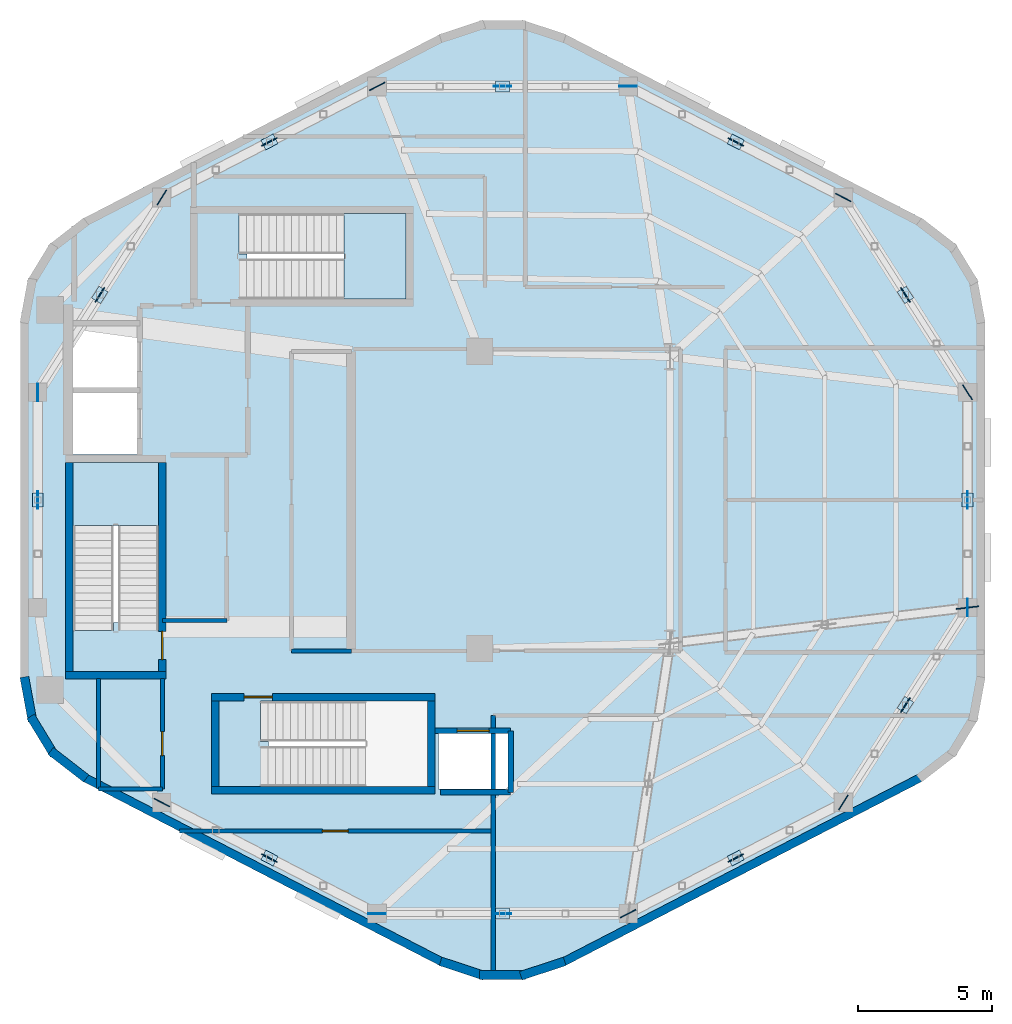
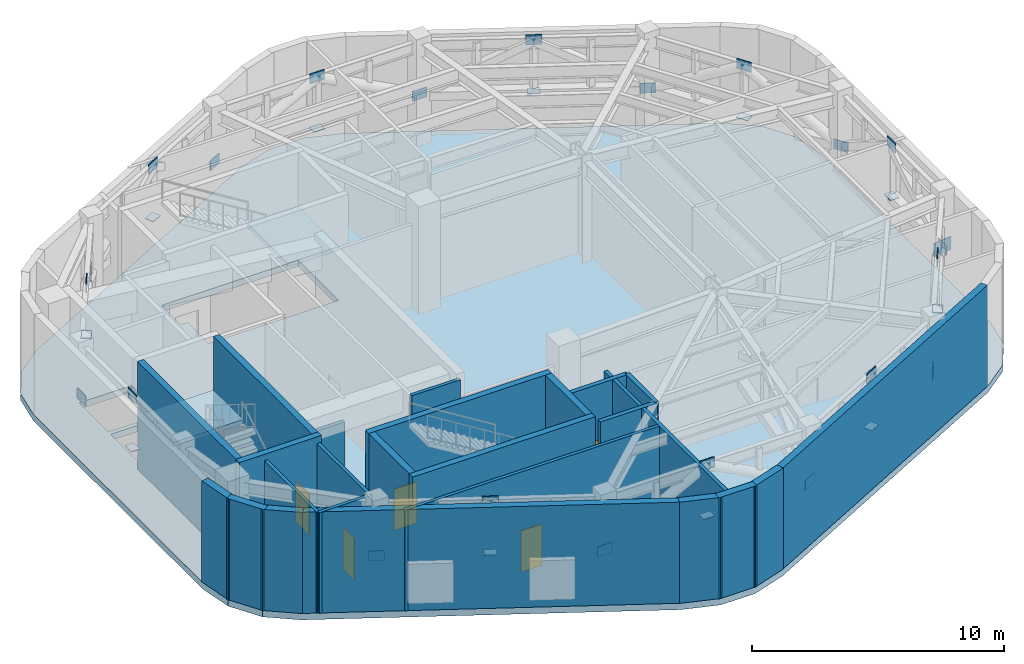
# One storey, part 5 of 8: 34 plates, 25 walls, 5 doors, 3 slabs, 5 openings, 2 elements without a shape of their own.
"""IFC4 building model written with IfcOpenShell, lengths in metres."""

from ifc_helpers import new_model, si_unit, direction, frame, frame_2d, origin, origin_2d, place, context, subcontext, project, spatial, polyline, rectangle, outline, extrude, material, layer, layer_set, type_object, element, fill, aggregate, save


model = new_model("IFC4")

# Units and contexts
model_context = context("Model", 3, precision=1e-05, world=origin(), true_north=direction((0.0, 1.0)))
body_context = subcontext(model_context, "Body", "Model", "MODEL_VIEW")
ifc_project = project(units=[si_unit("LENGTHUNIT", "METRE"), si_unit("AREAUNIT", "SQUARE_METRE"), si_unit("VOLUMEUNIT", "CUBIC_METRE"), si_unit("PLANEANGLEUNIT", "RADIAN"), si_unit("MASSUNIT", "GRAM", prefix="KILO"), si_unit("THERMODYNAMICTEMPERATUREUNIT", "KELVIN"), si_unit("POWERUNIT", "WATT")], contexts=[model_context])

# Site, building, storey
site_placement = place(None, origin())
site = spatial("IfcSite", under=ifc_project, at=site_placement, CompositionType="ELEMENT")
building_placement = place(site_placement, origin())
building = spatial("IfcBuilding", under=site, at=building_placement, Name="Skarre Station Tower", CompositionType="ELEMENT")
storey_placement = place(building_placement, frame((0.0, 0.0, 279.89990234375)))
storey = spatial("IfcBuildingStorey", under=building, at=storey_placement, Name="L76", CompositionType="ELEMENT", Elevation=279.89990234375)

# Plates
ifc_material_1 = material(Name="Steel ASTM A572 Grade 50", Category="steel")
ifc_layer_1 = layer(ifc_material_1, 0.028076171875, Name="Steel ASTM A572 Grade 50")
ifc_layer_set_1 = layer_set([ifc_layer_1], Name="Steel ASTM A572 Grade 50")
plate_type_1 = type_object("IfcPlateType", Name="Belt Truss End Cap Plate 520x400x28", PredefinedType="USERDEFINED", material=ifc_layer_set_1)
for number, where, z_axis, x_axis, name in (
    (1, (41.907958984375, 37.373046875, 2.23583984375), (0.0, 0.0, 1.0), (-0.888601222224, 0.458680572798, 0.0), "L76 Belt Truss Chord Cap Plate 1"),
    (2, (33.199951171875, 39.447021484375, 2.23583984375), (0.0, 0.0, 1.0), (-1.0, 0.0, 0.0), "L76 Belt Truss Chord Cap Plate 2"),
    (3, (24.491943359375, 37.373046875, 2.23583984375), (0.0, 0.0, 1.0), (-0.888601222224, -0.458680572798, 0.0), "L76 Belt Truss Chord Cap Plate 3"),
    (4, (18.155029296875, 31.659912109375, 2.23583984375), (0.0, 0.0, 1.0), (-0.537299608347, -0.843391445813, 0.0), "L76 Belt Truss Chord Cap Plate 4"),
    (5, (15.8369140625, 24.0, 2.23583984375), (0.0, 0.0, 1.0), (0.0, -1.0, 0.0), "L76 Belt Truss Chord Cap Plate 5"),
    (6, (24.491943359375, 10.6279296875, 2.23583984375), (0.0, 0.0, 1.0), (0.888601222224, -0.458680572798, 0.0), "L76 Belt Truss Chord Cap Plate 7"),
    (7, (33.199951171875, 8.552978515625, 2.23583984375), (0.0, 0.0, 1.0), (1.0, 0.0, 0.0), "L76 Belt Truss Chord Cap Plate 8"),
    (8, (41.907958984375, 10.6279296875, 2.23583984375), (0.0, 0.0, 1.0), (0.888601222224, 0.458680572798, 0.0), "L76 Belt Truss Chord Cap Plate 9"),
    (9, (48.2451171875, 16.340087890625, 2.23583984375), (0.0, 0.0, 1.0), (0.537299608347, 0.843391445813, 0.0), "L76 Belt Truss Chord Cap Plate 10"),
    (10, (50.56298828125, 24.0, 2.23583984375), (0.0, 0.0, 1.0), (0.0, 1.0, 0.0), "L76 Belt Truss Chord Cap Plate 11"),
    (11, (48.2451171875, 31.659912109375, 2.23583984375), (0.0, 0.0, 1.0), (-0.537299608347, 0.843391445813, 0.0), "L76 Belt Truss Chord Cap Plate 12"),
):
    element("IfcPlate", number, at=place(storey_placement, frame(where, z_axis=z_axis, x_axis=x_axis)), inside=storey, type_object=plate_type_1, Name=name, ObjectType="STIFFENER_PLATE", PredefinedType="USERDEFINED", context=body_context, shape_type="SweptSolid", body=[
        extrude(rectangle(XDim=0.52001953125, YDim=0.39990234375, at=origin_2d()), origin(), (0.0, 0.0, 1.0), 0.028076171875),
    ])
ifc_layer_2 = layer(ifc_material_1, 0.0400390625, Name="Steel ASTM A572 Grade 50")
ifc_layer_set_2 = layer_set([ifc_layer_2], Name="Steel ASTM A572 Grade 50")
plate_type_2 = type_object("IfcPlateType", Name="Outrigger Heavy Gusset Plate 850x640x40", PredefinedType="USERDEFINED", material=ifc_layer_set_2)
plate_placement = place(storey_placement, frame((50.56298828125, 19.97900390625, 1.93017578125), z_axis=(0.0, 0.0, 1.0), x_axis=(0.992924116831, 0.118750571435, 0.0)))
element("IfcPlate", 12, at=plate_placement, inside=storey, type_object=plate_type_2, Name="L76 Outrigger Perimeter Base Gusset Plate 3", ObjectType="GUSSET_PLATE", PredefinedType="USERDEFINED", context=body_context, shape_type="SweptSolid", body=[
    extrude(rectangle(XDim=0.85009765625, YDim=0.0400390625, at=origin_2d()), origin(), (0.0, 0.0, 1.0), 0.639892578125),
])

# Slab
ifc_material_2 = material(Name="Concrete C50/60", Category="concrete")
ifc_layer_3 = layer(ifc_material_2, 0.31005859375, Name="Concrete C50/60")
ifc_layer_set_3 = layer_set([ifc_layer_3], Name="Concrete C50/60")
slab_type_1 = type_object("IfcSlabType", Name="Podium & Plant Structural Slab 310", PredefinedType="FLOOR", material=ifc_layer_set_3)
slab_1_placement = place(storey_placement, frame((0.0, 0.0, -0.309814453125)))
element("IfcSlab", 13, at=slab_1_placement, inside=storey, type_object=slab_type_1, Name="L76 Zone 4 Structural Floor Slab", PredefinedType="FLOOR", context=body_context, shape_type="SweptSolid", body=[
    extrude(outline(polyline([(51.212890625, 30.701904296875), (50.93310546875, 32.222900390625), (50.1279296875, 33.544921875), (48.905029296875, 34.491943359375), (35.508056640625, 41.407958984375), (33.99609375, 41.906005859375), (32.404052734375, 41.906005859375), (30.89208984375, 41.407958984375), (17.4951171875, 34.491943359375), (16.27197265625, 33.544921875), (15.467041015625, 32.222900390625), (15.18701171875, 30.701904296875), (15.18701171875, 17.298095703125), (15.467041015625, 15.777099609375), (16.27197265625, 14.455078125), (17.4951171875, 13.508056640625), (30.89208984375, 6.592041015625), (32.404052734375, 6.093994140625), (33.99609375, 6.093994140625), (35.508056640625, 6.592041015625), (48.905029296875, 13.508056640625), (50.1279296875, 14.455078125), (50.93310546875, 15.777099609375), (51.212890625, 17.298095703125), (51.212890625, 30.701904296875)]), holes=[polyline([(18.669921875, 19.419921875), (18.669921875, 19.123046875), (17.14990234375, 19.123046875), (17.14990234375, 25.39990234375), (20.35009765625, 25.39990234375), (20.35009765625, 19.419921875), (18.669921875, 19.419921875)]), polyline([(24.449951171875, 14.97998046875), (24.153076171875, 14.97998046875), (24.153076171875, 16.5), (30.39990234375, 16.5), (30.39990234375, 13.300048828125), (24.449951171875, 13.300048828125), (24.449951171875, 14.97998046875)]), polyline([(23.64990234375, 33.179931640625), (23.35302734375, 33.179931640625), (23.35302734375, 34.699951171875), (29.60009765625, 34.699951171875), (29.60009765625, 31.5), (23.64990234375, 31.5), (23.64990234375, 33.179931640625)]), polyline([(17.14990234375, 28.0), (19.550048828125, 28.0), (19.550048828125, 25.699951171875), (17.14990234375, 25.699951171875), (17.14990234375, 28.0)]), polyline([(17.14990234375, 30.5), (19.550048828125, 30.5), (19.550048828125, 28.199951171875), (17.14990234375, 28.199951171875), (17.14990234375, 30.5)]), polyline([(30.800048828125, 15.300048828125), (33.39990234375, 15.300048828125), (33.39990234375, 13.199951171875), (30.800048828125, 13.199951171875), (30.800048828125, 15.300048828125)])]), origin(), (0.0, 0.0, 1.0), 0.309814453125),
])

# Stair, slab
ifc_material_3 = material(Name="Concrete C40/50", Category="concrete")
stair_type_1 = type_object("IfcStairType", Name="Reinforced Concrete Exit Stair ST-1", PredefinedType="HALF_TURN_STAIR", material=ifc_material_3)
stair_1_placement = place(storey_placement, origin())
stair_1 = element("IfcStair", 14, at=stair_1_placement, inside=storey, type_object=stair_type_1, Name="L76 Core Exit Stair ST-1", PredefinedType="HALF_TURN_STAIR")
ifc_layer_4 = layer(ifc_material_3, 0.219970703125, Name="Concrete C40/50")
ifc_layer_set_4 = layer_set([ifc_layer_4], Name="Concrete C40/50")
slab_type_2 = type_object("IfcSlabType", Name="Reinforced Concrete Stair & Ramp Landing 220", PredefinedType="LANDING", material=ifc_layer_set_4)
slab_2_placement = place(storey_placement, frame((0.0, 0.0, 2.400146484375)))
slab_2 = element("IfcSlab", 15, at=slab_2_placement, type_object=slab_type_2, Name="ST-1 landing 1", PredefinedType="LANDING", context=body_context, shape_type="SweptSolid", body=[
    extrude(outline(polyline([(20.35009765625, 23.0400390625), (20.35009765625, 25.39990234375), (17.14990234375, 25.39990234375), (17.14990234375, 23.0400390625), (20.35009765625, 23.0400390625)])), origin(), (0.0, 0.0, 1.0), 0.199951171875),
])
aggregate(stair_1, [slab_2])

stair_type_2 = type_object("IfcStairType", Name="Reinforced Concrete Exit Stair ST-3", PredefinedType="HALF_TURN_STAIR", material=ifc_material_3)
stair_2_placement = place(storey_placement, origin())
stair_2 = element("IfcStair", 16, at=stair_2_placement, inside=storey, type_object=stair_type_2, Name="L76 Core Exit Stair ST-3", PredefinedType="HALF_TURN_STAIR")
slab_3_placement = place(storey_placement, frame((0.0, 0.0, 2.400146484375)))
slab_3 = element("IfcSlab", 17, at=slab_3_placement, type_object=slab_type_2, Name="ST-3 landing 1", PredefinedType="LANDING", context=body_context, shape_type="SweptSolid", body=[
    extrude(outline(polyline([(27.27001953125, 31.5), (29.60009765625, 31.5), (29.60009765625, 34.699951171875), (27.27001953125, 34.699951171875), (27.27001953125, 31.5)])), origin(), (0.0, 0.0, 1.0), 0.199951171875),
])
aggregate(stair_2, [slab_3])

# Plates
ifc_layer_5 = layer(ifc_material_1, 0.035888671875, Name="Steel ASTM A572 Grade 50")
ifc_layer_set_5 = layer_set([ifc_layer_5], Name="Steel ASTM A572 Grade 50")
plate_type_3 = type_object("IfcPlateType", Name="Truss Node Gusset Plate 650x480x36", PredefinedType="USERDEFINED", material=ifc_layer_set_5)
for number, where, z_axis, x_axis, name in (
    (18, (41.907958984375, 37.373046875, 4.5), (0.0, 0.0, 1.0), (-0.888601222224, 0.458680572798, 0.0), "L76 Belt Truss Apex Gusset Plate 1"),
    (19, (45.927001953125, 35.298095703125, 2.010009765625), (0.0, 0.0, 1.0), (-0.888601222224, 0.458680572798, 0.0), "L76 Belt Truss Node A Gusset Plate 1"),
    (20, (33.199951171875, 39.447021484375, 4.5), (0.0, 0.0, 1.0), (-1.0, 0.0, 0.0), "L76 Belt Truss Apex Gusset Plate 2"),
    (21, (37.888916015625, 39.447021484375, 2.010009765625), (0.0, 0.0, 1.0), (-1.0, 0.0, 0.0), "L76 Belt Truss Node A Gusset Plate 2"),
    (22, (24.491943359375, 37.373046875, 4.5), (0.0, 0.0, 1.0), (-0.888601222224, -0.458680572798, 0.0), "L76 Belt Truss Apex Gusset Plate 3"),
    (23, (28.510986328125, 39.447021484375, 2.010009765625), (0.0, 0.0, 1.0), (-0.888601222224, -0.458680572798, 0.0), "L76 Belt Truss Node A Gusset Plate 3"),
    (24, (18.155029296875, 31.659912109375, 4.5), (0.0, 0.0, 1.0), (-0.537299608347, -0.843391445813, 0.0), "L76 Belt Truss Apex Gusset Plate 4"),
    (25, (20.472900390625, 35.298095703125, 2.010009765625), (0.0, 0.0, 1.0), (-0.537299608347, -0.843391445813, 0.0), "L76 Belt Truss Node A Gusset Plate 4"),
    (26, (15.8369140625, 24.0, 4.5), (0.0, 0.0, 1.0), (0.0, -1.0, 0.0), "L76 Belt Truss Apex Gusset Plate 5"),
    (27, (15.8369140625, 28.02099609375, 2.010009765625), (0.0, 0.0, 1.0), (0.0, -1.0, 0.0), "L76 Belt Truss Node A Gusset Plate 5"),
    (28, (24.491943359375, 10.6279296875, 4.5), (0.0, 0.0, 1.0), (0.888601222224, -0.458680572798, 0.0), "L76 Belt Truss Apex Gusset Plate 7"),
    (29, (20.472900390625, 12.701904296875, 2.010009765625), (0.0, 0.0, 1.0), (0.888601222224, -0.458680572798, 0.0), "L76 Belt Truss Node A Gusset Plate 7"),
    (30, (33.199951171875, 8.552978515625, 4.5), (0.0, 0.0, 1.0), (1.0, 0.0, 0.0), "L76 Belt Truss Apex Gusset Plate 8"),
    (31, (28.510986328125, 8.552978515625, 2.010009765625), (0.0, 0.0, 1.0), (1.0, 0.0, 0.0), "L76 Belt Truss Node A Gusset Plate 8"),
    (32, (41.907958984375, 10.6279296875, 4.5), (0.0, 0.0, 1.0), (0.888601222224, 0.458680572798, 0.0), "L76 Belt Truss Apex Gusset Plate 9"),
    (33, (37.888916015625, 8.552978515625, 2.010009765625), (0.0, 0.0, 1.0), (0.888601222224, 0.458680572798, 0.0), "L76 Belt Truss Node A Gusset Plate 9"),
    (34, (48.2451171875, 16.340087890625, 4.5), (0.0, 0.0, 1.0), (0.537299608347, 0.843391445813, 0.0), "L76 Belt Truss Apex Gusset Plate 10"),
    (35, (45.927001953125, 12.701904296875, 2.010009765625), (0.0, 0.0, 1.0), (0.537299608347, 0.843391445813, 0.0), "L76 Belt Truss Node A Gusset Plate 10"),
    (36, (50.56298828125, 24.0, 4.5), (0.0, 0.0, 1.0), (0.0, 1.0, 0.0), "L76 Belt Truss Apex Gusset Plate 11"),
    (37, (50.56298828125, 19.97900390625, 2.010009765625), (0.0, 0.0, 1.0), (0.0, 1.0, 0.0), "L76 Belt Truss Node A Gusset Plate 11"),
    (38, (48.2451171875, 31.659912109375, 4.5), (0.0, 0.0, 1.0), (-0.537299608347, 0.843391445813, 0.0), "L76 Belt Truss Apex Gusset Plate 12"),
    (39, (50.56298828125, 28.02099609375, 2.010009765625), (0.0, 0.0, 1.0), (-0.537299608347, 0.843391445813, 0.0), "L76 Belt Truss Node A Gusset Plate 12"),
):
    element("IfcPlate", number, at=place(storey_placement, frame(where, z_axis=z_axis, x_axis=x_axis)), inside=storey, type_object=plate_type_3, Name=name, ObjectType="GUSSET_PLATE", PredefinedType="USERDEFINED", context=body_context, shape_type="SweptSolid", body=[
        extrude(rectangle(XDim=0.64990234375, YDim=0.035888671875, at=origin_2d()), origin(), (0.0, 0.0, 1.0), 0.47998046875),
    ])

# Walls
ifc_material_4 = material(Name="Acoustic Steel-Stud Gypsum Partition", Category="steel")
ifc_layer_6 = layer(ifc_material_4, 0.14990234375, Name="Acoustic Steel-Stud Gypsum Partition")
ifc_layer_set_6 = layer_set([ifc_layer_6], Name="Acoustic Steel-Stud Gypsum Partition")
wall_type_1 = type_object("IfcWallType", Name="Fire-Rated Corridor Acoustic Partition 150", PredefinedType="PARTITIONING", material=ifc_layer_set_6)
wall_1_placement = place(storey_placement, frame((20.489990234375, 19.5, 0.0), z_axis=(0.0, 0.0, 1.0), x_axis=(1.0, 0.0, 0.0)))
element("IfcWall", 40, at=wall_1_placement, inside=storey, type_object=wall_type_1, Name="L76 Interior Partition WL-PT-L76-B3-S", PredefinedType="PARTITIONING", context=body_context, shape_type="SweptSolid", body=[
    extrude(rectangle(XDim=2.409912109375, YDim=0.159912109375, at=frame_2d((1.205078125, 0.0))), origin(), (0.0, 0.0, 1.0), 3.7900390625),
])
wall_2_placement = place(storey_placement, frame((25.320068359375, 18.360107421875, 0.0), z_axis=(0.0, 0.0, 1.0), x_axis=(1.0, 0.0, 0.0)))
element("IfcWall", 41, at=wall_2_placement, inside=storey, type_object=wall_type_1, Name="L76 Interior Partition WL-PT-L76-RC2-S", PredefinedType="PARTITIONING", context=body_context, shape_type="SweptSolid", body=[
    extrude(rectangle(XDim=2.22998046875, YDim=0.14990234375, at=frame_2d((1.114990234375, 0.0))), origin(), (0.0, 0.0, 1.0), 4.89013671875),
])
wall_3_placement = place(storey_placement, frame((18.10009765625, 17.340087890625, 0.0), z_axis=(0.0, 0.0, 1.0), x_axis=(0.0, -1.0, 0.0)))
element("IfcWall", 42, at=wall_3_placement, inside=storey, type_object=wall_type_1, Name="L76 Interior Partition WL-PT-L76-CSVC-W", PredefinedType="PARTITIONING", context=body_context, shape_type="SweptSolid", body=[
    extrude(rectangle(XDim=4.133056640625, YDim=0.14990234375, at=frame_2d((2.06640625, 0.0))), origin(), (0.0, 0.0, 1.0), 4.89013671875),
])
wall_4_placement = place(storey_placement, frame((18.113037109375, 13.199951171875, 0.0), z_axis=(0.0, 0.0, 1.0), x_axis=(1.0, 0.0, 0.0)))
element("IfcWall", 43, at=wall_4_placement, inside=storey, type_object=wall_type_1, Name="L76 Interior Partition WL-PT-L76-CSVC-S", PredefinedType="PARTITIONING", context=body_context, shape_type="SweptSolid", body=[
    extrude(rectangle(XDim=2.376953125, YDim=0.14990234375, at=frame_2d((1.1884765625, 0.0))), origin(), (0.0, 0.0, 1.0), 4.89013671875),
])

# Wall, opening, door
wall_5_placement = place(storey_placement, frame((20.489990234375, 13.199951171875, 0.0), z_axis=(0.0, 0.0, 1.0), x_axis=(0.0, 1.0, 0.0)))
wall_5 = element("IfcWall", 44, at=wall_5_placement, inside=storey, type_object=wall_type_1, Name="L76 Interior Partition WL-PT-L76-CSVC-E", PredefinedType="PARTITIONING", context=body_context, shape_type="SweptSolid", body=[
    extrude(rectangle(XDim=4.14013671875, YDim=0.14990234375, at=frame_2d((2.070068359375, 0.0))), origin(), (0.0, 0.0, 1.0), 4.89013671875),
])
opening_1_placement = place(wall_5_placement, frame((1.25, 0.0, 0.0)))
opening_1 = element("IfcOpeningElement", 45, at=opening_1_placement, cuts=wall_5, Name="Opening DR-SVC90", PredefinedType="OPENING", context=body_context, shape_type="SweptSolid", body=[
    extrude(rectangle(XDim=0.89990234375, YDim=2.0, at=frame_2d((0.449951171875, 1.0))), frame((0.0, 0.0849609375, 0.0), z_axis=(0.0, -1.0, 0.0), x_axis=(1.0, 0.0, 0.0)), (0.0, 0.0, 1.0), 0.169921875),
])
ifc_material_5 = material(Name="Powder-Coated Hollow-Metal Acoustic Fire Leaf", Category="steel")
door_type_1 = type_object("IfcDoorType", Name="Service & Riser Fire Door FD60 900x2100", OperationType="SINGLE_SWING_LEFT", PredefinedType="DOOR", material=ifc_material_5)
door_1_placement = place(opening_1_placement, origin())
door_1 = element("IfcDoor", 46, at=door_1_placement, inside=storey, type_object=door_type_1, Name="L76 Core Pantry Door", OperationType="SINGLE_SWING_LEFT", OverallHeight=2.0, OverallWidth=0.89990234375, PredefinedType="DOOR", context=body_context, shape_type="SweptSolid", body=[
    extrude(rectangle(XDim=0.89990234375, YDim=2.0, at=frame_2d((0.449951171875, 1.0))), frame((0.0, 0.02490234375, 0.0), z_axis=(0.0, -1.0, 0.0), x_axis=(1.0, 0.0, 0.0)), (0.0, 0.0, 1.0), 0.050048828125),
])
fill(opening_1, door_1)

wall_6_placement = place(storey_placement, frame((32.85009765625, 11.639892578125, 0.0), z_axis=(0.0, 0.0, 1.0), x_axis=(-1.0, 0.0, 0.0)))
wall_6 = element("IfcWall", 47, at=wall_6_placement, inside=storey, type_object=wall_type_1, Name="L76 Interior Partition WL-PT-L76-PLTSW1-CW", PredefinedType="PARTITIONING", context=body_context, shape_type="SweptSolid", body=[
    extrude(rectangle(XDim=11.715087890625, YDim=0.14990234375, at=frame_2d((5.857421875, 0.0))), origin(), (0.0, 0.0, 1.0), 4.89013671875),
])
opening_2_placement = place(wall_6_placement, frame((5.4208984375, 0.0, 0.0)))
opening_2 = element("IfcOpeningElement", 48, at=opening_2_placement, cuts=wall_6, Name="Opening DR-FD60", PredefinedType="OPENING", context=body_context, shape_type="SweptSolid", body=[
    extrude(rectangle(XDim=0.9599609375, YDim=2.0, at=frame_2d((0.47998046875, 1.0))), frame((0.0, 0.0849609375, 0.0), z_axis=(0.0, -1.0, 0.0), x_axis=(1.0, 0.0, 0.0)), (0.0, 0.0, 1.0), 0.169921875),
])
ifc_material_6 = material(Name="Nordic White-Oak Veneer Solid-Core Fire Leaf", Category="wood")
door_type_2 = type_object("IfcDoorType", Name="Corridor Suite Entry Fire Door FD60 960x2150", OperationType="SINGLE_SWING_LEFT", PredefinedType="DOOR", material=ifc_material_6)
door_2_placement = place(opening_2_placement, origin())
door_2 = element("IfcDoor", 49, at=door_2_placement, inside=storey, type_object=door_type_2, Name="L76 PLTSW1 Entry Door", OperationType="SINGLE_SWING_LEFT", OverallHeight=2.0, OverallWidth=0.9599609375, PredefinedType="DOOR", context=body_context, shape_type="SweptSolid", body=[
    extrude(rectangle(XDim=0.9599609375, YDim=2.0, at=frame_2d((0.47998046875, 1.0))), frame((0.0, 0.02490234375, 0.0), z_axis=(0.0, -1.0, 0.0), x_axis=(1.0, 0.0, 0.0)), (0.0, 0.0, 1.0), 0.050048828125),
])
fill(opening_2, door_2)

# Walls
ifc_material_7 = material(Name="Precast concrete C45/55", Category="concrete")
ifc_layer_7 = layer(ifc_material_7, 0.330078125, Name="Precast concrete C45/55")
ifc_layer_set_7 = layer_set([ifc_layer_7], Name="Precast concrete C45/55")
wall_type_2 = type_object("IfcWallType", Name="Nordic Rounded Corner Precast Wall 330", PredefinedType="STANDARD", material=ifc_layer_set_7)
wall_7_placement = place(storey_placement, frame((17.64697265625, 13.59912109375, 0.0), z_axis=(0.0, 0.0, 1.0), x_axis=(-0.790691856293, 0.61221433207, 0.0)))
element("IfcWall", 50, at=wall_7_placement, inside=storey, type_object=wall_type_2, Name="L76 Rounded Corner Precast Wall F3-1", PredefinedType="STANDARD", context=body_context, shape_type="SweptSolid", body=[
    extrude(rectangle(XDim=1.67578125, YDim=0.330078125, at=frame_2d((0.837890625, 0.0))), origin(), (0.0, 0.0, 1.0), 4.89013671875),
])
wall_8_placement = place(storey_placement, frame((16.447021484375, 14.485107421875, 0.0), z_axis=(0.0, 0.0, 1.0), x_axis=(-0.520325409202, 0.853968072318, 0.0)))
element("IfcWall", 51, at=wall_8_placement, inside=storey, type_object=wall_type_2, Name="L76 Rounded Corner Precast Wall F3-2", PredefinedType="STANDARD", context=body_context, shape_type="SweptSolid", body=[
    extrude(rectangle(XDim=1.677978515625, YDim=0.330078125, at=frame_2d((0.8388671875, 0.0))), origin(), (0.0, 0.0, 1.0), 4.89013671875),
])
wall_9_placement = place(storey_placement, frame((15.64111328125, 15.742919921875, 0.0), z_axis=(0.0, 0.0, 1.0), x_axis=(-0.180832605401, 0.983513888475, 0.0)))
element("IfcWall", 52, at=wall_9_placement, inside=storey, type_object=wall_type_2, Name="L76 Rounded Corner Precast Wall F3-3", PredefinedType="STANDARD", context=body_context, shape_type="SweptSolid", body=[
    extrude(rectangle(XDim=1.6767578125, YDim=0.330078125, at=frame_2d((0.83837890625, 0.0))), origin(), (0.0, 0.0, 1.0), 4.89013671875),
])
wall_10_placement = place(storey_placement, frame((35.51806640625, 6.76904296875, 0.0), z_axis=(0.0, 0.0, 1.0), x_axis=(-0.949713440491, -0.313120393699, 0.0)))
element("IfcWall", 53, at=wall_10_placement, inside=storey, type_object=wall_type_2, Name="L76 Rounded Corner Precast Wall F4-1", PredefinedType="STANDARD", context=body_context, shape_type="SweptSolid", body=[
    extrude(rectangle(XDim=1.7216796875, YDim=0.330078125, at=frame_2d((0.86083984375, 0.0))), origin(), (0.0, 0.0, 1.0), 4.89013671875),
])
wall_11_placement = place(storey_placement, frame((34.06103515625, 6.259033203125, 0.0), z_axis=(0.0, 0.0, 1.0), x_axis=(-1.0, 0.0, 0.0)))
element("IfcWall", 54, at=wall_11_placement, inside=storey, type_object=wall_type_2, Name="L76 Rounded Corner Precast Wall F4-2", PredefinedType="STANDARD", context=body_context, shape_type="SweptSolid", body=[
    extrude(rectangle(XDim=1.721923828125, YDim=0.330078125, at=frame_2d((0.86083984375, 0.0))), origin(), (0.0, 0.0, 1.0), 4.89013671875),
])
wall_12_placement = place(storey_placement, frame((32.51708984375, 6.22998046875, 0.0), z_axis=(0.0, 0.0, 1.0), x_axis=(-0.949713440491, 0.313120393699, 0.0)))
element("IfcWall", 55, at=wall_12_placement, inside=storey, type_object=wall_type_2, Name="L76 Rounded Corner Precast Wall F4-3", PredefinedType="STANDARD", context=body_context, shape_type="SweptSolid", body=[
    extrude(rectangle(XDim=1.7216796875, YDim=0.330078125, at=frame_2d((0.86083984375, 0.0))), origin(), (0.0, 0.0, 1.0), 4.89013671875),
])
ifc_layer_8 = layer(ifc_material_7, 0.31005859375, Name="Precast concrete C45/55")
ifc_layer_set_8 = layer_set([ifc_layer_8], Name="Precast concrete C45/55")
wall_type_3 = type_object("IfcWallType", Name="Nordic Upper-Zone Precast Facet Wall 310", PredefinedType="STANDARD", material=ifc_layer_set_8)
for number, where, z_axis, x_axis, name in (
    (56, (30.962890625, 6.72998046875, 0.0), (0.0, 0.0, 1.0), (-0.888581481622, 0.458718814218, 0.0), "L76 Facet 3 Nordic Precast Masonry Wall"),
    (57, (48.833984375, 13.64599609375, 0.0), (0.0, 0.0, 1.0), (-0.888581481622, -0.458718814218, 0.0), "L76 Facet 4 Nordic Precast Masonry Wall"),
):
    element("IfcWall", number, at=place(storey_placement, frame(where, z_axis=z_axis, x_axis=x_axis)), inside=storey, type_object=wall_type_3, Name=name, PredefinedType="STANDARD", context=body_context, shape_type="SweptSolid", body=[
        extrude(rectangle(XDim=15.076904296875, YDim=0.31005859375, at=frame_2d((7.53857421875, 0.0))), origin(), (0.0, 0.0, 1.0), 4.89013671875),
    ])
ifc_layer_9 = layer(ifc_material_2, 0.280029296875, Name="Concrete C50/60")
ifc_layer_set_9 = layer_set([ifc_layer_9], Name="Concrete C50/60")
wall_type_4 = type_object("IfcWallType", Name="RC Core Shear Wall 280", PredefinedType="SHEAR", material=ifc_layer_set_9)
wall_13_placement = place(storey_placement, frame((16.8701171875, 17.4599609375, 0.0), z_axis=(0.0, 0.0, 1.0), x_axis=(1.0, 0.0, 0.0)))
element("IfcWall", 58, at=wall_13_placement, inside=storey, type_object=wall_type_4, Name="L76 Stair ST-1 South Shear Wall", PredefinedType="SHEAR", context=body_context, shape_type="SweptSolid", body=[
    extrude(rectangle(XDim=3.759765625, YDim=0.280029296875, at=frame_2d((1.8798828125, 0.0))), origin(), (0.0, 0.0, 1.0), 5.2001953125),
])
wall_14_placement = place(storey_placement, frame((17.010009765625, 25.39990234375, 0.0), z_axis=(0.0, 0.0, 1.0), x_axis=(0.0, -1.0, 0.0)))
element("IfcWall", 59, at=wall_14_placement, inside=storey, type_object=wall_type_4, Name="L76 Stair ST-1 West Shear Wall", PredefinedType="SHEAR", context=body_context, shape_type="SweptSolid", body=[
    extrude(rectangle(XDim=7.7998046875, YDim=0.280029296875, at=frame_2d((3.89990234375, 0.0))), origin(), (0.0, 0.0, 1.0), 5.2001953125),
])

# Wall, opening, door
wall_15_placement = place(storey_placement, frame((20.489990234375, 17.60009765625, 0.0), z_axis=(0.0, 0.0, 1.0), x_axis=(0.0, 1.0, 0.0)))
wall_15 = element("IfcWall", 60, at=wall_15_placement, inside=storey, type_object=wall_type_4, Name="L76 Stair ST-1 East Shear Wall", PredefinedType="SHEAR", context=body_context, shape_type="SweptSolid", body=[
    extrude(rectangle(XDim=7.7998046875, YDim=0.280029296875, at=frame_2d((3.89990234375, 0.0))), origin(), (0.0, 0.0, 1.0), 5.2001953125),
])
opening_3_placement = place(wall_15_placement, frame((0.43994140625, 0.0, 0.0)))
opening_3 = element("IfcOpeningElement", 61, at=opening_3_placement, cuts=wall_15, Name="Opening DR-FD90", PredefinedType="OPENING", context=body_context, shape_type="SweptSolid", body=[
    extrude(rectangle(XDim=1.050048828125, YDim=2.0, at=frame_2d((0.52490234375, 1.0))), frame((0.0, 0.14990234375, 0.0), z_axis=(0.0, -1.0, 0.0), x_axis=(1.0, 0.0, 0.0)), (0.0, 0.0, 1.0), 0.300048828125),
])
ifc_material_8 = material(Name="Fire-Rated Insulated Steel Frame & Timber Core Leaf", Category="steel")
door_type_3 = type_object("IfcDoorType", Name="Stair & FSAE Lobby Fire Door FD90 1050x2150", OperationType="SINGLE_SWING_RIGHT", PredefinedType="DOOR", material=ifc_material_8)
door_3_placement = place(opening_3_placement, origin())
door_3 = element("IfcDoor", 62, at=door_3_placement, inside=storey, type_object=door_type_3, Name="L76 Stair ST-1 Exit Door", OperationType="SINGLE_SWING_RIGHT", OverallHeight=2.0, OverallWidth=1.050048828125, PredefinedType="DOOR", context=body_context, shape_type="SweptSolid", body=[
    extrude(rectangle(XDim=1.050048828125, YDim=2.0, at=frame_2d((0.52490234375, 1.0))), frame((0.0, 0.02490234375, 0.0), z_axis=(0.0, -1.0, 0.0), x_axis=(1.0, 0.0, 0.0)), (0.0, 0.0, 1.0), 0.050048828125),
])
fill(opening_3, door_3)

# Wall
wall_16_placement = place(storey_placement, frame((22.320068359375, 13.159912109375, 0.0), z_axis=(0.0, 0.0, 1.0), x_axis=(1.0, 0.0, 0.0)))
element("IfcWall", 63, at=wall_16_placement, inside=storey, type_object=wall_type_4, Name="L76 Stair ST-2 South Shear Wall", PredefinedType="SHEAR", context=body_context, shape_type="SweptSolid", body=[
    extrude(rectangle(XDim=8.35986328125, YDim=0.280029296875, at=frame_2d((4.179931640625, 0.0))), origin(), (0.0, 0.0, 1.0), 5.2001953125),
])

# Wall, opening, door
wall_17_placement = place(storey_placement, frame((30.679931640625, 16.639892578125, 0.0), z_axis=(0.0, 0.0, 1.0), x_axis=(-1.0, 0.0, 0.0)))
wall_17 = element("IfcWall", 64, at=wall_17_placement, inside=storey, type_object=wall_type_4, Name="L76 Stair ST-2 North Shear Wall", PredefinedType="SHEAR", context=body_context, shape_type="SweptSolid", body=[
    extrude(rectangle(XDim=8.35986328125, YDim=0.280029296875, at=frame_2d((4.179931640625, 0.0))), origin(), (0.0, 0.0, 1.0), 5.2001953125),
])
opening_4_placement = place(wall_17_placement, frame((6.080078125, 0.0, 0.0)))
opening_4 = element("IfcOpeningElement", 65, at=opening_4_placement, cuts=wall_17, Name="Opening DR-FD90", PredefinedType="OPENING", context=body_context, shape_type="SweptSolid", body=[
    extrude(rectangle(XDim=1.050048828125, YDim=2.0, at=frame_2d((0.52490234375, 1.0))), frame((0.0, 0.14990234375, 0.0), z_axis=(0.0, -1.0, 0.0), x_axis=(1.0, 0.0, 0.0)), (0.0, 0.0, 1.0), 0.300048828125),
])
door_4_placement = place(opening_4_placement, origin())
door_4 = element("IfcDoor", 66, at=door_4_placement, inside=storey, type_object=door_type_3, Name="L76 Stair ST-2 Exit Door", OperationType="SINGLE_SWING_RIGHT", OverallHeight=2.0, OverallWidth=1.050048828125, PredefinedType="DOOR", context=body_context, shape_type="SweptSolid", body=[
    extrude(rectangle(XDim=1.050048828125, YDim=2.0, at=frame_2d((0.52490234375, 1.0))), frame((0.0, 0.02490234375, 0.0), z_axis=(0.0, -1.0, 0.0), x_axis=(1.0, 0.0, 0.0)), (0.0, 0.0, 1.0), 0.050048828125),
])
fill(opening_4, door_4)

# Walls
for number, where, z_axis, x_axis, name in (
    (67, (22.4599609375, 16.5, 0.0), (0.0, 0.0, 1.0), (0.0, -1.0, 0.0), "L76 Stair ST-2 West Shear Wall"),
    (68, (30.5400390625, 13.300048828125, 0.0), (0.0, 0.0, 1.0), (0.0, 1.0, 0.0), "L76 Stair ST-2 East Shear Wall"),
):
    element("IfcWall", number, at=place(storey_placement, frame(where, z_axis=z_axis, x_axis=x_axis)), inside=storey, type_object=wall_type_4, Name=name, PredefinedType="SHEAR", context=body_context, shape_type="SweptSolid", body=[
        extrude(rectangle(XDim=3.199951171875, YDim=0.280029296875, at=frame_2d((1.60009765625, 0.0))), origin(), (0.0, 0.0, 1.0), 5.2001953125),
    ])

# Wall, opening, door
ifc_material_9 = material(Name="Gypsum Concrete Shaft Assembly C30/37", Category="concrete")
ifc_layer_10 = layer(ifc_material_9, 0.199951171875, Name="Gypsum Concrete Shaft Assembly C30/37")
ifc_layer_set_10 = layer_set([ifc_layer_10], Name="Gypsum Concrete Shaft Assembly C30/37")
wall_type_5 = type_object("IfcWallType", Name="Shaft & Core Fire Partition 200", PredefinedType="PARTITIONING", material=ifc_layer_set_10)
wall_18_placement = place(storey_placement, frame((33.5, 15.3798828125, 0.0), z_axis=(0.0, 0.0, 1.0), x_axis=(-1.0, 0.0, 0.0)))
wall_18 = element("IfcWall", 69, at=wall_18_placement, inside=storey, type_object=wall_type_5, Name="L76 Interior Partition WL-PT-L76-SV1-N", PredefinedType="PARTITIONING", context=body_context, shape_type="SweptSolid", body=[
    extrude(rectangle(XDim=2.820068359375, YDim=0.199951171875, at=frame_2d((1.41015625, 0.0))), origin(), (0.0, 0.0, 1.0), 4.89013671875),
])
opening_5_placement = place(wall_18_placement, frame((0.800048828125, 0.0, 0.0)))
opening_5 = element("IfcOpeningElement", 70, at=opening_5_placement, cuts=wall_18, Name="Opening LD-SV1", PredefinedType="OPENING", context=body_context, shape_type="SweptSolid", body=[
    extrude(rectangle(XDim=1.199951171875, YDim=2.199951171875, at=frame_2d((0.60009765625, 1.10009765625))), frame((0.0, 0.10986328125, 0.0), z_axis=(0.0, -1.0, 0.0), x_axis=(1.0, 0.0, 0.0)), (0.0, 0.0, 1.0), 0.219970703125),
])
ifc_material_10 = material(Name="Heavy-Gauge Brushed Stainless Steel Sliding Leaves", Category="steel")
door_type_4 = type_object("IfcDoorType", Name="Service Elevator Wide Sliding Landing Door 1200x2200", OperationType="SLIDING_TO_RIGHT", PredefinedType="DOOR", material=ifc_material_10)
door_5_placement = place(opening_5_placement, origin())
door_5 = element("IfcDoor", 71, at=door_5_placement, inside=storey, type_object=door_type_4, Name="L76 Service Lift LF-SV1 Landing Door", OperationType="SLIDING_TO_RIGHT", OverallHeight=2.199951171875, OverallWidth=1.199951171875, PredefinedType="DOOR", context=body_context, shape_type="SweptSolid", body=[
    extrude(rectangle(XDim=1.199951171875, YDim=2.199951171875, at=frame_2d((0.60009765625, 1.10009765625))), frame((0.0, 0.02490234375, 0.0), z_axis=(0.0, -1.0, 0.0), x_axis=(1.0, 0.0, 0.0)), (0.0, 0.0, 1.0), 0.050048828125),
])
fill(opening_5, door_5)

# Walls
wall_19_placement = place(storey_placement, frame((33.5, 13.080078125, 0.0), z_axis=(0.0, 0.0, 1.0), x_axis=(0.0, 1.0, 0.0)))
element("IfcWall", 72, at=wall_19_placement, inside=storey, type_object=wall_type_5, Name="L76 Interior Partition WL-PT-L76-SV1-E", PredefinedType="PARTITIONING", context=body_context, shape_type="SweptSolid", body=[
    extrude(rectangle(XDim=2.2998046875, YDim=0.199951171875, at=frame_2d((1.14990234375, 0.0))), origin(), (0.0, 0.0, 1.0), 4.89013671875),
])
wall_20_placement = place(storey_placement, frame((30.87890625, 13.080078125, 0.0), z_axis=(0.0, 0.0, 1.0), x_axis=(1.0, 0.0, 0.0)))
element("IfcWall", 73, at=wall_20_placement, inside=storey, type_object=wall_type_5, Name="L76 Interior Partition WL-PT-L76-SV1-S", PredefinedType="PARTITIONING", context=body_context, shape_type="SweptSolid", body=[
    extrude(rectangle(XDim=2.62109375, YDim=0.199951171875, at=frame_2d((1.310546875, 0.0))), origin(), (0.0, 0.0, 1.0), 4.89013671875),
])
ifc_layer_11 = layer(ifc_material_4, 0.1650390625, Name="Acoustic Steel-Stud Gypsum Partition")
ifc_layer_set_11 = layer_set([ifc_layer_11], Name="Acoustic Steel-Stud Gypsum Partition")
wall_type_6 = type_object("IfcWallType", Name="Suite Demising Acoustic Partition 165", PredefinedType="PARTITIONING", material=ifc_layer_set_11)
wall_21_placement = place(storey_placement, frame((32.85009765625, 6.1240234375, 0.0), z_axis=(0.0, 0.0, 1.0), x_axis=(0.0, 1.0, 0.0)))
element("IfcWall", 74, at=wall_21_placement, inside=storey, type_object=wall_type_6, Name="L76 Interior Partition WL-PT-L76-PLTSW-E", PredefinedType="PARTITIONING", context=body_context, shape_type="SweptSolid", body=[
    extrude(rectangle(XDim=9.8359375, YDim=0.1650390625, at=frame_2d((4.91796875, 0.0))), origin(), (0.0, 0.0, 1.0), 4.89013671875),
])

save(model, "model.ifc")
